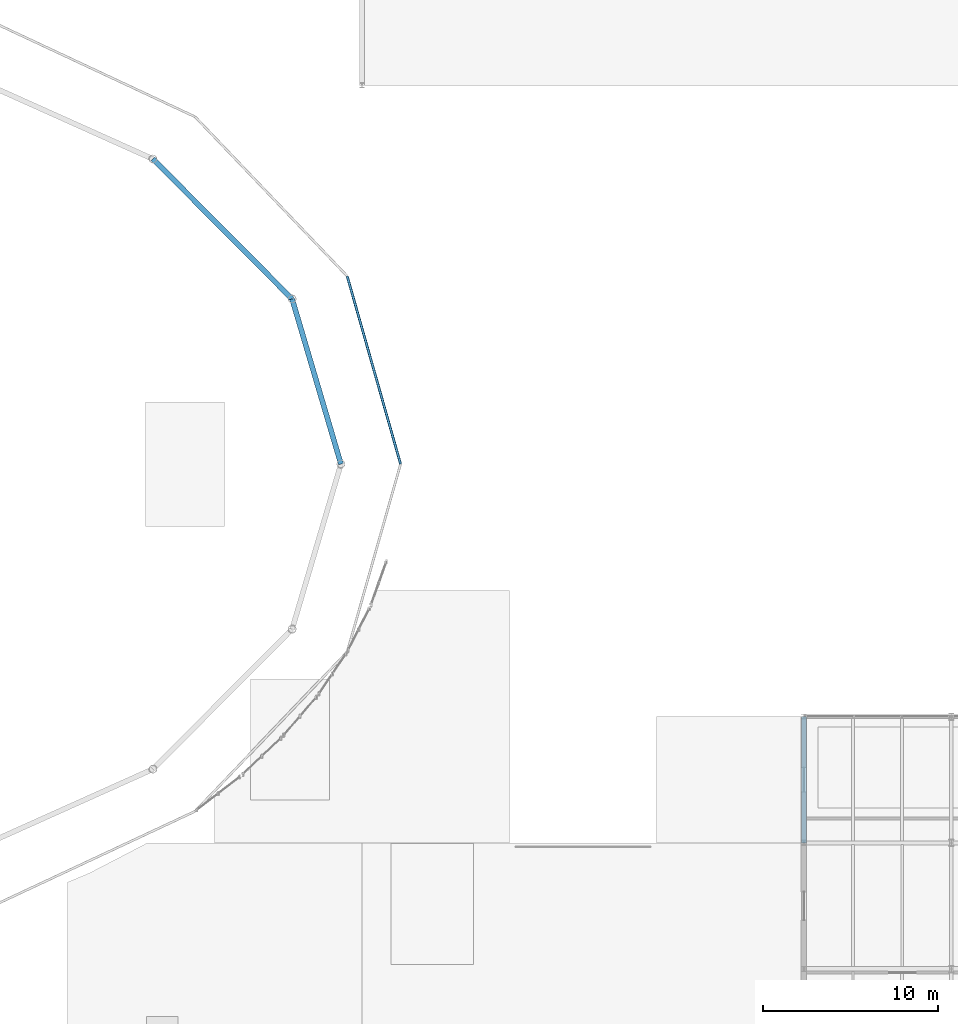
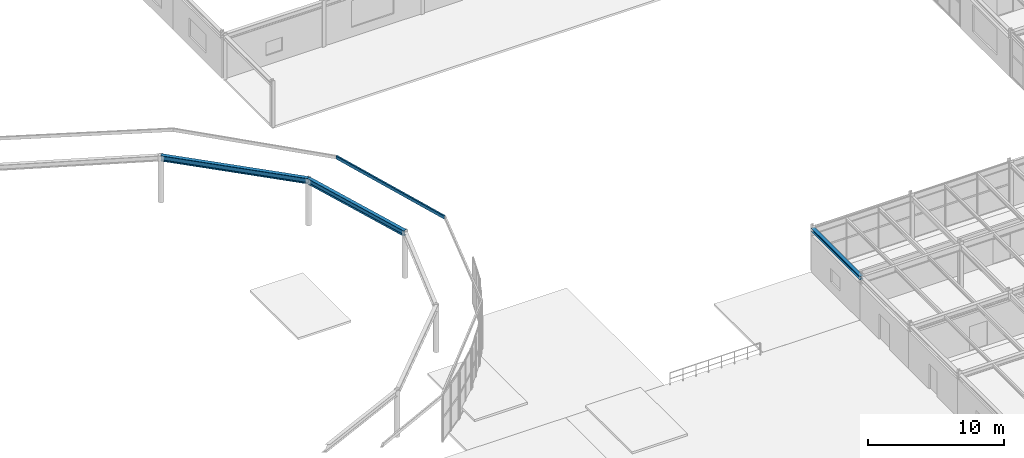
# One storey, part 26 of 73: 4 beams.
"""IFC4 building model written with IfcOpenShell, lengths in metres."""

import ifcopenshell
import ifcopenshell.guid

model = None  # the IFC model being written
_history = None  # IfcOwnerHistory: only IFC2X3 demands one
_inside = {}  # id of a spatial element -> (the spatial element, [elements in it])
_under = {}  # id of a project, library or spatial element -> (it, [spatial elements below it])
_declared = {}  # id of a project -> (the project, [libraries it declares])
_typed = {}  # id of a type object -> (the type object, [elements of that type])
_made_of = {}  # id of a material, layer set ... -> (it, [elements and type objects made of it])


def new_model(schema):
    """Start an empty IFC model of exactly this schema.

    Asked for "IFC4X3", IfcOpenShell would pick the latest addendum, in which some entities
    have other attributes; the version numbers below select the first issue.
    IFC2X3 requires an IfcOwnerHistory on every rooted entity: one is made here for all.
    """
    global model, _history
    if schema == "IFC4X3":
        model = ifcopenshell.file(schema_version=(4, 3, 0, 0))
    else:
        model = ifcopenshell.file(schema=schema)
    _inside.clear()
    _under.clear()
    _declared.clear()
    _typed.clear()
    _made_of.clear()
    _history = None
    if model.schema == "IFC2X3":
        org = make("IfcOrganization", Name="unknown")
        user = make(
            "IfcPersonAndOrganization",
            ThePerson=make("IfcPerson", FamilyName="unknown"),
            TheOrganization=org,
        )
        app = make(
            "IfcApplication",
            ApplicationDeveloper=org,
            Version="unknown",
            ApplicationFullName="unknown",
            ApplicationIdentifier="unknown",
        )
        _history = make(
            "IfcOwnerHistory",
            OwningUser=user,
            OwningApplication=app,
            ChangeAction="ADDED",
            CreationDate=0,
        )
    return model


def make(cls, **values):
    """One entity of the class cls with the attributes given. An attribute that is None is left unset."""
    return model.create_entity(
        cls, **{name: value for name, value in values.items() if value is not None}
    )


def rooted(cls, **values):
    """An entity with a GlobalId (a new one), such as an element, a storey or a relation."""
    return make(cls, GlobalId=ifcopenshell.guid.new(), OwnerHistory=_history, **values)


def si_unit(unit_type, name, prefix=None):
    """IfcSIUnit, for example si_unit("LENGTHUNIT", "METRE", prefix="MILLI")."""
    return make("IfcSIUnit", UnitType=unit_type, Prefix=prefix, Name=name)


def derived_unit(unit_type, elements):
    """IfcDerivedUnit: a product of units, each with its exponent."""
    return make(
        "IfcDerivedUnit",
        Elements=[
            make("IfcDerivedUnitElement", Unit=unit, Exponent=power)
            for unit, power in elements
        ],
        UnitType=unit_type,
    )


def assignment(units):
    """IfcUnitAssignment: the units of a project."""
    return None if units is None else make("IfcUnitAssignment", Units=units)


def point(xyz):
    """IfcCartesianPoint."""
    return None if xyz is None else make("IfcCartesianPoint", Coordinates=xyz)


def direction(xyz):
    """IfcDirection."""
    return None if xyz is None else make("IfcDirection", DirectionRatios=xyz)


def frame(location, z_axis=None, x_axis=None):
    """IfcAxis2Placement3D, a coordinate frame: its origin and axes. An axis left out is left unset."""
    return make(
        "IfcAxis2Placement3D",
        Location=point(location),
        Axis=direction(z_axis),
        RefDirection=direction(x_axis),
    )


def frame_2d(location, x_axis=None):
    """IfcAxis2Placement2D, a coordinate frame in the plane: its origin and x axis."""
    return make(
        "IfcAxis2Placement2D", Location=point(location), RefDirection=direction(x_axis)
    )


def origin():
    """The frame at (0, 0, 0) with its axes left unset."""
    return frame((0.0, 0.0, 0.0))


def origin_2d():
    """The frame at (0, 0) in the plane with its x axis left unset."""
    return frame_2d((0.0, 0.0))


def place(relative_to, where):
    """IfcLocalPlacement: puts the frame where relative to a parent placement (None: the world)."""
    return make(
        "IfcLocalPlacement", PlacementRelTo=relative_to, RelativePlacement=where
    )


def context(
    kind, dimensions, precision=None, world=None, true_north=None, identifier=None
):
    """IfcGeometricRepresentationContext, for example the 3D "Model" context."""
    return make(
        "IfcGeometricRepresentationContext",
        ContextIdentifier=identifier,
        ContextType=kind,
        CoordinateSpaceDimension=dimensions,
        Precision=precision,
        WorldCoordinateSystem=world,
        TrueNorth=true_north,
    )


def subcontext(parent, identifier, kind, view, scale=None):
    """IfcGeometricRepresentationSubContext, for example "Body" below "Model"."""
    return make(
        "IfcGeometricRepresentationSubContext",
        ContextIdentifier=identifier,
        ContextType=kind,
        ParentContext=parent,
        TargetScale=scale,
        TargetView=view,
    )


def project(units=None, contexts=None):
    """IfcProject with its units and contexts."""
    return rooted(
        "IfcProject",
        Name="project",
        RepresentationContexts=contexts,
        UnitsInContext=assignment(units),
    )


def spatial(cls, under=None, at=None, **own):
    """A site, building, storey or space (cls), placed at a placement, below another one or the project."""
    s = rooted(cls, ObjectPlacement=at, **own)
    if under is not None:
        _under.setdefault(under.id(), (under, []))[1].append(s)
    return s


def profile(cls, at=None, kind="AREA", **sizes):
    """A parametric profile (cls). Its sizes go by their IFC names, for example OverallWidth=200.0."""
    return make(cls, ProfileType=kind, Position=at, **sizes)


def hollow_rectangle(**sizes):
    """IfcRectangleHollowProfileDef."""
    return profile("IfcRectangleHollowProfileDef", **sizes)


def i_section(**sizes):
    """IfcIShapeProfileDef."""
    return profile("IfcIShapeProfileDef", **sizes)


def extrude(swept, where, along, depth):
    """IfcExtrudedAreaSolid: the profile swept, set in the frame where, extruded along a direction by depth."""
    return make(
        "IfcExtrudedAreaSolid",
        SweptArea=swept,
        Position=where,
        ExtrudedDirection=direction(along),
        Depth=depth,
    )


def shape(context_of_items, identifier, shape_type, items):
    """IfcShapeRepresentation: the items that make up one representation, for example the "Body"."""
    return make(
        "IfcShapeRepresentation",
        ContextOfItems=context_of_items,
        RepresentationIdentifier=identifier,
        RepresentationType=shape_type,
        Items=items,
    )


def material(Name=None, Category=None):
    """IfcMaterial."""
    return make("IfcMaterial", Name=Name, Category=Category)


def material_profile(
    of_material, cross_section, Name=None, Category=None, Priority=None
):
    """IfcMaterialProfile: a cross section and its material."""
    return make(
        "IfcMaterialProfile",
        Name=Name,
        Material=of_material,
        Profile=cross_section,
        Priority=Priority,
        Category=Category,
    )


def profile_set(profiles, Name=None, composite=None):
    """IfcMaterialProfileSet."""
    return make(
        "IfcMaterialProfileSet",
        Name=Name,
        MaterialProfiles=profiles,
        CompositeProfile=composite,
    )


def made_of(thing, what):
    """Note that an element or type object is made of a material, layer set ...; save() writes the relation."""
    if what is not None:
        _made_of.setdefault(what.id(), (what, []))[1].append(thing)
    return thing


def type_object(cls, material=None, **own):
    """A type object (cls), such as IfcWallType, which elements share."""
    return made_of(rooted(cls, **own), material)


def element(
    cls,
    number,
    at=None,
    inside=None,
    cuts=None,
    type_object=None,
    material=None,
    context=None,
    identifier="Body",
    shape_type=None,
    held_by="IfcProductDefinitionShape",
    body=None,
    shapes=None,
    **own,
):
    """One element of the class cls, such as IfcWall. Its Tag is "e" and its number.

    at: its placement. inside: the storey or other place that contains it. cuts: it is an
    opening in that element (IfcRelVoidsElement). A single representation is given by context,
    identifier, shape_type and body (its items); several are given by shapes. held_by: the class
    of the entity that holds the representations. save() writes the other relations.
    """
    e = rooted(cls, Tag="e%d" % number, ObjectPlacement=at, **own)
    if body is not None:
        shapes = [shape(context, identifier, shape_type, body)]
    if shapes is not None:
        e.Representation = make(held_by, Representations=shapes)
    if inside is not None:
        _inside.setdefault(inside.id(), (inside, []))[1].append(e)
    if cuts is not None:
        rooted(
            "IfcRelVoidsElement", RelatingBuildingElement=cuts, RelatedOpeningElement=e
        )
    if type_object is not None:
        _typed.setdefault(type_object.id(), (type_object, []))[1].append(e)
    return made_of(e, material)


def aggregate(whole, parts):
    """IfcRelAggregates: a whole, such as a stair, and the parts it consists of."""
    return rooted("IfcRelAggregates", RelatingObject=whole, RelatedObjects=parts)


def save(model, path):
    """Write the relations noted so far, then the file.

    IfcRelAggregates (storeys below a building ...), IfcRelContainedInSpatialStructure (elements
    in a storey), IfcRelDefinesByType, IfcRelAssociatesMaterial and IfcRelDeclares: one each for
    every whole, place, type object, material and project.
    """
    for whole, parts in _under.values():
        aggregate(whole, parts)
    for where, things in _inside.values():
        rooted(
            "IfcRelContainedInSpatialStructure",
            RelatedElements=things,
            RelatingStructure=where,
        )
    for kind, things in _typed.values():
        rooted("IfcRelDefinesByType", RelatedObjects=things, RelatingType=kind)
    for what, things in _made_of.values():
        rooted("IfcRelAssociatesMaterial", RelatedObjects=things, RelatingMaterial=what)
    for by, libraries in _declared.values():
        rooted("IfcRelDeclares", RelatingContext=by, RelatedDefinitions=libraries)
    model.write(path)


model = new_model("IFC4")

# Units and contexts
model_context = context("Model", 3, precision=1e-05, world=origin(), true_north=direction((0.0, 1.0)))
body_context = subcontext(model_context, "Body", "Model", "MODEL_VIEW")
ifc_project = project(units=[si_unit("LENGTHUNIT", "METRE"), si_unit("AREAUNIT", "SQUARE_METRE"), si_unit("VOLUMEUNIT", "CUBIC_METRE"), si_unit("PLANEANGLEUNIT", "RADIAN"), si_unit("MASSUNIT", "GRAM", prefix="KILO"), derived_unit("THERMALTRANSMITTANCEUNIT", [(si_unit("MASSUNIT", "GRAM", prefix="KILO"), 1), (si_unit("TIMEUNIT", "SECOND"), -3), (si_unit("THERMODYNAMICTEMPERATUREUNIT", "KELVIN"), -1)])], contexts=[model_context])

# Site, building, storey
site_placement = place(None, origin())
site = spatial("IfcSite", under=ifc_project, at=site_placement, CompositionType="ELEMENT")
building_placement = place(site_placement, origin())
building = spatial("IfcBuilding", under=site, at=building_placement, Name="Kharveza Railside Sports Centre", CompositionType="ELEMENT")
storey_placement = place(building_placement, frame((0.0, 0.0, 8.699951171875)))
storey = spatial("IfcBuildingStorey", under=building, at=storey_placement, Name="L02", CompositionType="ELEMENT", Elevation=8.699951171875)

# Beams
ifc_material = material(Name="Steel S355J2", Category="steel")
ifc_material_profile_1 = material_profile(ifc_material, i_section(OverallWidth=0.300048828125, OverallDepth=0.489990234375, WebThickness=0.011962890625, FlangeThickness=0.02294921875, FilletRadius=0.027099609375, at=origin_2d()), Name="HEA 500")
ifc_profile_set_1 = profile_set([ifc_material_profile_1], Name="Steel S355J2")
beam_type_1 = type_object("IfcBeamType", Name="BM-G08", PredefinedType="T_BEAM", material=ifc_profile_set_1)
beam_1_placement = place(storey_placement, frame((91.199951171875, 50.39990234375, 3.949951171875), z_axis=(-0.283764031332, 0.958894141458, 0.0), x_axis=(-0.958894141458, -0.283764031332, 0.0)))
element("IfcBeam", 1, at=beam_1_placement, inside=storey, type_object=beam_type_1, Name="BM-DRING-L02-01", PredefinedType="T_BEAM", context=body_context, shape_type="SweptSolid", body=[
    extrude(i_section(OverallWidth=0.300048828125, OverallDepth=0.489990234375, WebThickness=0.011962890625, FlangeThickness=0.02294921875, FilletRadius=0.027099609375, at=origin_2d()), origin(), (0.0, 0.0, 1.0), 9.817626953125),
])
beam_2_placement = place(storey_placement, frame((88.4140625, 59.81396484375, 3.949951171875), z_axis=(-0.705021062231, 0.709186366064, 0.0), x_axis=(-0.709186366064, -0.705021062231, 0.0)))
element("IfcBeam", 2, at=beam_2_placement, inside=storey, type_object=beam_type_1, Name="BM-DRING-L02-02", PredefinedType="T_BEAM", context=body_context, shape_type="SweptSolid", body=[
    extrude(i_section(OverallWidth=0.300048828125, OverallDepth=0.489990234375, WebThickness=0.011962890625, FlangeThickness=0.02294921875, FilletRadius=0.027099609375, at=origin_2d()), origin(), (0.0, 0.0, 1.0), 11.253662109375),
])
ifc_material_profile_2 = material_profile(ifc_material, i_section(OverallWidth=0.300048828125, OverallDepth=0.31005859375, WebThickness=0.009033203125, FlangeThickness=0.015380859375, FilletRadius=0.027099609375, at=origin_2d()), Name="HEA 320")
ifc_profile_set_2 = profile_set([ifc_material_profile_2], Name="Steel S355J2")
beam_type_2 = type_object("IfcBeamType", Name="BM-S06", PredefinedType="BEAM", material=ifc_profile_set_2)
beam_3_placement = place(storey_placement, frame((117.60009765625, 28.800048828125, 3.76513671875), z_axis=(0.0, 1.0, 0.0), x_axis=(-1.0, 0.0, 0.0)))
element("IfcBeam", 3, at=beam_3_placement, inside=storey, type_object=beam_type_2, Name="BM-NS-L02-B14-X1176-Y288", PredefinedType="BEAM", context=body_context, shape_type="SweptSolid", body=[
    extrude(i_section(OverallWidth=0.300048828125, OverallDepth=0.31005859375, WebThickness=0.009033203125, FlangeThickness=0.015380859375, FilletRadius=0.027099609375, at=origin_2d()), origin(), (0.0, 0.0, 1.0), 7.199951171875),
])
ifc_material_profile_3 = material_profile(ifc_material, hollow_rectangle(XDim=0.14990234375, YDim=0.300048828125, WallThickness=0.012451171875, InnerFilletRadius=0.012451171875, OuterFilletRadius=0.02490234375, at=origin_2d()), Name="RHS 150x300x12.5")
ifc_profile_set_3 = profile_set([ifc_material_profile_3], Name="Steel S355J2")
beam_type_3 = type_object("IfcBeamType", Name="BM-SP03", PredefinedType="SPANDREL", material=ifc_profile_set_3)
beam_4_placement = place(storey_placement, frame((94.60009765625, 50.39990234375, 4.150146484375), z_axis=(-0.273342998897, 0.961916630979, 0.0), x_axis=(-0.961916630979, -0.273342998897, 0.0)))
element("IfcBeam", 4, at=beam_4_placement, inside=storey, type_object=beam_type_3, Name="BM-DCLER-HEAD-01", PredefinedType="SPANDREL", context=body_context, shape_type="SweptSolid", body=[
    extrude(hollow_rectangle(XDim=0.14990234375, YDim=0.300048828125, WallThickness=0.012451171875, InnerFilletRadius=0.012451171875, OuterFilletRadius=0.02490234375, at=origin_2d()), origin(), (0.0, 0.0, 1.0), 11.1396484375),
])

save(model, "model.ifc")
